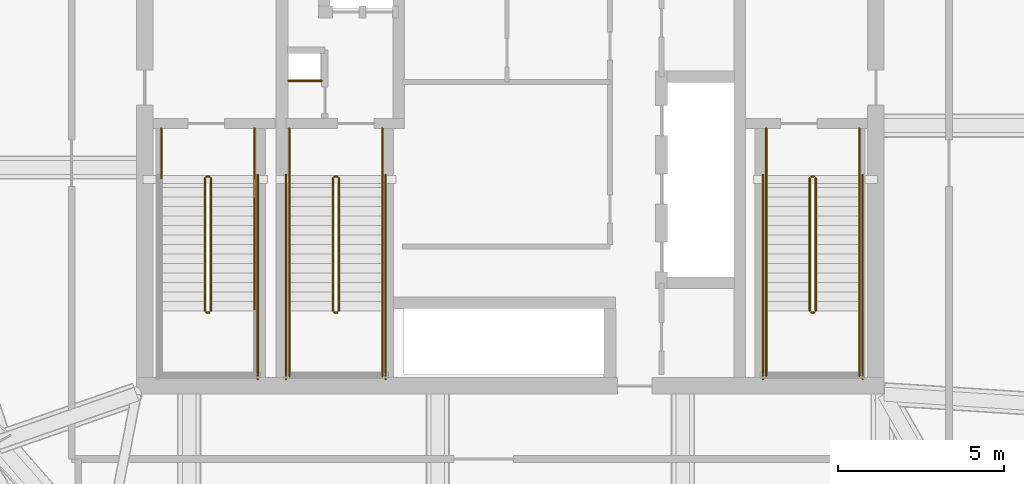
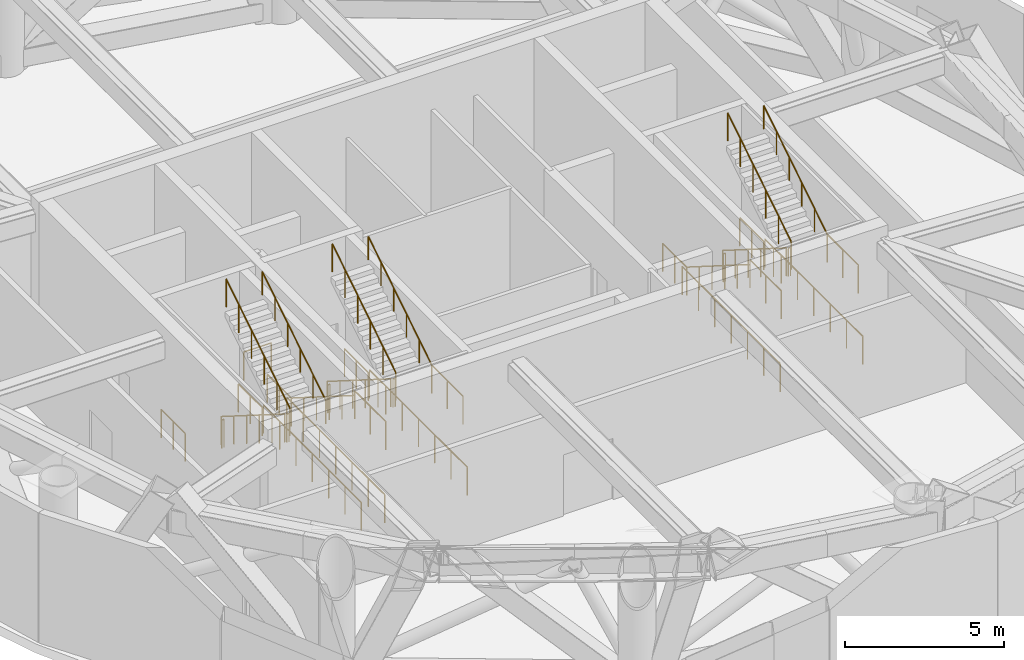
# One storey, part 8 of 9: 33 railings.
"""IFC4 building model written with IfcOpenShell, lengths in metres."""

import ifcopenshell
import ifcopenshell.guid

model = None  # the IFC model being written
_history = None  # IfcOwnerHistory: only IFC2X3 demands one
_inside = {}  # id of a spatial element -> (the spatial element, [elements in it])
_under = {}  # id of a project, library or spatial element -> (it, [spatial elements below it])
_declared = {}  # id of a project -> (the project, [libraries it declares])
_typed = {}  # id of a type object -> (the type object, [elements of that type])
_made_of = {}  # id of a material, layer set ... -> (it, [elements and type objects made of it])


def new_model(schema):
    """Start an empty IFC model of exactly this schema.

    Asked for "IFC4X3", IfcOpenShell would pick the latest addendum, in which some entities
    have other attributes; the version numbers below select the first issue.
    IFC2X3 requires an IfcOwnerHistory on every rooted entity: one is made here for all.
    """
    global model, _history
    if schema == "IFC4X3":
        model = ifcopenshell.file(schema_version=(4, 3, 0, 0))
    else:
        model = ifcopenshell.file(schema=schema)
    _inside.clear()
    _under.clear()
    _declared.clear()
    _typed.clear()
    _made_of.clear()
    _history = None
    if model.schema == "IFC2X3":
        org = make("IfcOrganization", Name="unknown")
        user = make(
            "IfcPersonAndOrganization",
            ThePerson=make("IfcPerson", FamilyName="unknown"),
            TheOrganization=org,
        )
        app = make(
            "IfcApplication",
            ApplicationDeveloper=org,
            Version="unknown",
            ApplicationFullName="unknown",
            ApplicationIdentifier="unknown",
        )
        _history = make(
            "IfcOwnerHistory",
            OwningUser=user,
            OwningApplication=app,
            ChangeAction="ADDED",
            CreationDate=0,
        )
    return model


def make(cls, **values):
    """One entity of the class cls with the attributes given. An attribute that is None is left unset."""
    return model.create_entity(
        cls, **{name: value for name, value in values.items() if value is not None}
    )


def rooted(cls, **values):
    """An entity with a GlobalId (a new one), such as an element, a storey or a relation."""
    return make(cls, GlobalId=ifcopenshell.guid.new(), OwnerHistory=_history, **values)


def si_unit(unit_type, name, prefix=None):
    """IfcSIUnit, for example si_unit("LENGTHUNIT", "METRE", prefix="MILLI")."""
    return make("IfcSIUnit", UnitType=unit_type, Prefix=prefix, Name=name)


def assignment(units):
    """IfcUnitAssignment: the units of a project."""
    return None if units is None else make("IfcUnitAssignment", Units=units)


def point(xyz):
    """IfcCartesianPoint."""
    return None if xyz is None else make("IfcCartesianPoint", Coordinates=xyz)


def direction(xyz):
    """IfcDirection."""
    return None if xyz is None else make("IfcDirection", DirectionRatios=xyz)


def frame(location, z_axis=None, x_axis=None):
    """IfcAxis2Placement3D, a coordinate frame: its origin and axes. An axis left out is left unset."""
    return make(
        "IfcAxis2Placement3D",
        Location=point(location),
        Axis=direction(z_axis),
        RefDirection=direction(x_axis),
    )


def frame_2d(location, x_axis=None):
    """IfcAxis2Placement2D, a coordinate frame in the plane: its origin and x axis."""
    return make(
        "IfcAxis2Placement2D", Location=point(location), RefDirection=direction(x_axis)
    )


def origin():
    """The frame at (0, 0, 0) with its axes left unset."""
    return frame((0.0, 0.0, 0.0))


def origin_2d():
    """The frame at (0, 0) in the plane with its x axis left unset."""
    return frame_2d((0.0, 0.0))


def place(relative_to, where):
    """IfcLocalPlacement: puts the frame where relative to a parent placement (None: the world)."""
    return make(
        "IfcLocalPlacement", PlacementRelTo=relative_to, RelativePlacement=where
    )


def context(
    kind, dimensions, precision=None, world=None, true_north=None, identifier=None
):
    """IfcGeometricRepresentationContext, for example the 3D "Model" context."""
    return make(
        "IfcGeometricRepresentationContext",
        ContextIdentifier=identifier,
        ContextType=kind,
        CoordinateSpaceDimension=dimensions,
        Precision=precision,
        WorldCoordinateSystem=world,
        TrueNorth=true_north,
    )


def subcontext(parent, identifier, kind, view, scale=None):
    """IfcGeometricRepresentationSubContext, for example "Body" below "Model"."""
    return make(
        "IfcGeometricRepresentationSubContext",
        ContextIdentifier=identifier,
        ContextType=kind,
        ParentContext=parent,
        TargetScale=scale,
        TargetView=view,
    )


def project(units=None, contexts=None):
    """IfcProject with its units and contexts."""
    return rooted(
        "IfcProject",
        Name="project",
        RepresentationContexts=contexts,
        UnitsInContext=assignment(units),
    )


def spatial(cls, under=None, at=None, **own):
    """A site, building, storey or space (cls), placed at a placement, below another one or the project."""
    s = rooted(cls, ObjectPlacement=at, **own)
    if under is not None:
        _under.setdefault(under.id(), (under, []))[1].append(s)
    return s


def profile(cls, at=None, kind="AREA", **sizes):
    """A parametric profile (cls). Its sizes go by their IFC names, for example OverallWidth=200.0."""
    return make(cls, ProfileType=kind, Position=at, **sizes)


def circle(**sizes):
    """IfcCircleProfileDef."""
    return profile("IfcCircleProfileDef", **sizes)


def extrude(swept, where, along, depth):
    """IfcExtrudedAreaSolid: the profile swept, set in the frame where, extruded along a direction by depth."""
    return make(
        "IfcExtrudedAreaSolid",
        SweptArea=swept,
        Position=where,
        ExtrudedDirection=direction(along),
        Depth=depth,
    )


def shape(context_of_items, identifier, shape_type, items):
    """IfcShapeRepresentation: the items that make up one representation, for example the "Body"."""
    return make(
        "IfcShapeRepresentation",
        ContextOfItems=context_of_items,
        RepresentationIdentifier=identifier,
        RepresentationType=shape_type,
        Items=items,
    )


def material(Name=None, Category=None):
    """IfcMaterial."""
    return make("IfcMaterial", Name=Name, Category=Category)


def made_of(thing, what):
    """Note that an element or type object is made of a material, layer set ...; save() writes the relation."""
    if what is not None:
        _made_of.setdefault(what.id(), (what, []))[1].append(thing)
    return thing


def type_object(cls, material=None, **own):
    """A type object (cls), such as IfcWallType, which elements share."""
    return made_of(rooted(cls, **own), material)


def element(
    cls,
    number,
    at=None,
    inside=None,
    cuts=None,
    type_object=None,
    material=None,
    context=None,
    identifier="Body",
    shape_type=None,
    held_by="IfcProductDefinitionShape",
    body=None,
    shapes=None,
    **own,
):
    """One element of the class cls, such as IfcWall. Its Tag is "e" and its number.

    at: its placement. inside: the storey or other place that contains it. cuts: it is an
    opening in that element (IfcRelVoidsElement). A single representation is given by context,
    identifier, shape_type and body (its items); several are given by shapes. held_by: the class
    of the entity that holds the representations. save() writes the other relations.
    """
    e = rooted(cls, Tag="e%d" % number, ObjectPlacement=at, **own)
    if body is not None:
        shapes = [shape(context, identifier, shape_type, body)]
    if shapes is not None:
        e.Representation = make(held_by, Representations=shapes)
    if inside is not None:
        _inside.setdefault(inside.id(), (inside, []))[1].append(e)
    if cuts is not None:
        rooted(
            "IfcRelVoidsElement", RelatingBuildingElement=cuts, RelatedOpeningElement=e
        )
    if type_object is not None:
        _typed.setdefault(type_object.id(), (type_object, []))[1].append(e)
    return made_of(e, material)


def aggregate(whole, parts):
    """IfcRelAggregates: a whole, such as a stair, and the parts it consists of."""
    return rooted("IfcRelAggregates", RelatingObject=whole, RelatedObjects=parts)


def save(model, path):
    """Write the relations noted so far, then the file.

    IfcRelAggregates (storeys below a building ...), IfcRelContainedInSpatialStructure (elements
    in a storey), IfcRelDefinesByType, IfcRelAssociatesMaterial and IfcRelDeclares: one each for
    every whole, place, type object, material and project.
    """
    for whole, parts in _under.values():
        aggregate(whole, parts)
    for where, things in _inside.values():
        rooted(
            "IfcRelContainedInSpatialStructure",
            RelatedElements=things,
            RelatingStructure=where,
        )
    for kind, things in _typed.values():
        rooted("IfcRelDefinesByType", RelatedObjects=things, RelatingType=kind)
    for what, things in _made_of.values():
        rooted("IfcRelAssociatesMaterial", RelatedObjects=things, RelatingMaterial=what)
    for by, libraries in _declared.values():
        rooted("IfcRelDeclares", RelatingContext=by, RelatedDefinitions=libraries)
    model.write(path)


model = new_model("IFC4")

# Units and contexts
model_context = context("Model", 3, precision=1e-05, world=origin(), true_north=direction((0.0, 1.0)))
body_context = subcontext(model_context, "Body", "Model", "MODEL_VIEW")
ifc_project = project(units=[si_unit("LENGTHUNIT", "METRE"), si_unit("AREAUNIT", "SQUARE_METRE"), si_unit("VOLUMEUNIT", "CUBIC_METRE"), si_unit("PLANEANGLEUNIT", "RADIAN"), si_unit("MASSUNIT", "GRAM", prefix="KILO")], contexts=[model_context])

# Site, building, storey
site_placement = place(None, origin())
site = spatial("IfcSite", under=ifc_project, at=site_placement, CompositionType="ELEMENT")
building_placement = place(site_placement, origin())
building = spatial("IfcBuilding", under=site, at=building_placement, Name="Bramvorn Convention Spire", CompositionType="ELEMENT")
storey_placement = place(building_placement, frame((0.0, 0.0, 236.64990234375)))
storey = spatial("IfcBuildingStorey", under=building, at=storey_placement, Name="L60", CompositionType="ELEMENT", Elevation=236.64990234375)

# Railings
ifc_material_1 = material(Name="Painted Steel Balustrade & Guardrail", Category="steel")
railing_type_1 = type_object("IfcRailingType", Name="RL-STAIR-GUARD-1100", PredefinedType="GUARDRAIL", material=ifc_material_1)
railing_1_placement = place(storey_placement, frame((28.81005859375, 25.050048828125, 0.18017578125)))
element("IfcRailing", 1, at=railing_1_placement, inside=storey, type_object=railing_type_1, Name="L60 ST1 stair guard 1", PredefinedType="GUARDRAIL", context=body_context, shape_type="SweptSolid", body=[
    extrude(circle(Radius=0.02392578125, at=origin_2d()), frame((0.0, 0.0, 1.076171875), z_axis=(0.0, -0.845486444383, 0.533996884227), x_axis=(1.0, 0.0, 0.0)), (0.0, 0.0, 1.0), 4.71923828125),
    extrude(circle(Radius=0.02099609375, at=origin_2d()), origin(), (0.0, 0.0, 1.0), 1.052001953125),
    extrude(circle(Radius=0.02099609375, at=origin_2d()), frame((0.0, -0.798095703125, 0.50390625)), (0.0, 0.0, 1.0), 1.052001953125),
    extrude(circle(Radius=0.02099609375, at=origin_2d()), frame((0.0, -1.595947265625, 1.008056640625)), (0.0, 0.0, 1.0), 1.052001953125),
    extrude(circle(Radius=0.02099609375, at=origin_2d()), frame((0.0, -2.39404296875, 1.511962890625)), (0.0, 0.0, 1.0), 1.052001953125),
    extrude(circle(Radius=0.02099609375, at=origin_2d()), frame((0.0, -3.19189453125, 2.01611328125)), (0.0, 0.0, 1.0), 1.052001953125),
    extrude(circle(Radius=0.02099609375, at=origin_2d()), frame((0.0, -3.989990234375, 2.52001953125)), (0.0, 0.0, 1.0), 1.052001953125),
])
railing_2_placement = place(storey_placement, frame((28.860107421875, 21.010009765625, 2.7001953125)))
element("IfcRailing", 2, at=railing_2_placement, inside=storey, type_object=railing_type_1, Name="L60 ST1 stair guard 2", PredefinedType="GUARDRAIL", context=body_context, shape_type="SweptSolid", body=[
    extrude(circle(Radius=0.02392578125, at=origin_2d()), frame((0.0, 0.0, 1.076171875), z_axis=(1.0, 0.0, 0.0), x_axis=(0.0, 1.0, 0.0)), (0.0, 0.0, 1.0), 0.079833984375),
    extrude(circle(Radius=0.02099609375, at=origin_2d()), origin(), (0.0, 0.0, 1.0), 1.052001953125),
    extrude(circle(Radius=0.02099609375, at=origin_2d()), frame((0.079833984375, 0.0, 0.0)), (0.0, 0.0, 1.0), 1.052001953125),
])
railing_3_placement = place(storey_placement, frame((28.989990234375, 21.06005859375, 2.880126953125)))
element("IfcRailing", 3, at=railing_3_placement, inside=storey, type_object=railing_type_1, Name="L60 ST1 stair guard 6", PredefinedType="GUARDRAIL", context=body_context, shape_type="SweptSolid", body=[
    extrude(circle(Radius=0.02392578125, at=origin_2d()), frame((0.0, 0.0, 1.076171875), z_axis=(0.0, 0.845486444383, 0.533996884227), x_axis=(-1.0, 0.0, 0.0)), (0.0, 0.0, 1.0), 4.71923828125),
    extrude(circle(Radius=0.02099609375, at=origin_2d()), origin(), (0.0, 0.0, 1.0), 1.052001953125),
    extrude(circle(Radius=0.02099609375, at=origin_2d()), frame((0.0, 0.798095703125, 0.50390625)), (0.0, 0.0, 1.0), 1.052001953125),
    extrude(circle(Radius=0.02099609375, at=origin_2d()), frame((0.0, 1.595947265625, 1.008056640625)), (0.0, 0.0, 1.0), 1.052001953125),
    extrude(circle(Radius=0.02099609375, at=origin_2d()), frame((0.0, 2.39404296875, 1.511962890625)), (0.0, 0.0, 1.0), 1.052001953125),
    extrude(circle(Radius=0.02099609375, at=origin_2d()), frame((0.0, 3.19189453125, 2.01611328125)), (0.0, 0.0, 1.0), 1.052001953125),
    extrude(circle(Radius=0.02099609375, at=origin_2d()), frame((0.0, 3.989990234375, 2.52001953125)), (0.0, 0.0, 1.0), 1.052001953125),
])
railing_4_placement = place(storey_placement, frame((28.860107421875, 25.10009765625, 0.0)))
element("IfcRailing", 4, at=railing_4_placement, inside=storey, type_object=railing_type_1, Name="L60 ST1 stair guard 7", PredefinedType="GUARDRAIL", context=body_context, shape_type="SweptSolid", body=[
    extrude(circle(Radius=0.02392578125, at=origin_2d()), frame((0.0, 0.0, 1.076171875), z_axis=(1.0, 0.0, 0.0), x_axis=(0.0, 1.0, 0.0)), (0.0, 0.0, 1.0), 0.079833984375),
    extrude(circle(Radius=0.02099609375, at=origin_2d()), origin(), (0.0, 0.0, 1.0), 1.052001953125),
    extrude(circle(Radius=0.02099609375, at=origin_2d()), frame((0.079833984375, 0.0, 0.0)), (0.0, 0.0, 1.0), 1.052001953125),
])
for number, where, name in (
    (5, (27.5, 26.550048828125, 0.0), "L60 ST1 stair guard 8"),
    (6, (30.300048828125, 26.550048828125, 0.0), "L60 ST1 stair guard 9"),
):
    element("IfcRailing", number, at=place(storey_placement, frame(where)), inside=storey, type_object=railing_type_1, Name=name, PredefinedType="GUARDRAIL", context=body_context, shape_type="SweptSolid", body=[
        extrude(circle(Radius=0.02392578125, at=origin_2d()), frame((0.0, 0.0, 1.076171875), z_axis=(0.0, -1.0, 0.0), x_axis=(1.0, 0.0, 0.0)), (0.0, 0.0, 1.0), 1.5),
        extrude(circle(Radius=0.02099609375, at=origin_2d()), origin(), (0.0, 0.0, 1.0), 1.052001953125),
        extrude(circle(Radius=0.02099609375, at=origin_2d()), frame((0.0, -0.75, 0.0)), (0.0, 0.0, 1.0), 1.052001953125),
        extrude(circle(Radius=0.02099609375, at=origin_2d()), frame((0.0, -1.5, 0.0)), (0.0, 0.0, 1.0), 1.052001953125),
    ])
railing_5_placement = place(storey_placement, frame((30.39990234375, 25.14990234375, 0.0)))
element("IfcRailing", 7, at=railing_5_placement, inside=storey, type_object=railing_type_1, Name="L60 ST1 stair guard 11", PredefinedType="GUARDRAIL", context=body_context, shape_type="SweptSolid", body=[
    extrude(circle(Radius=0.02392578125, at=origin_2d()), frame((0.0, 0.0, 1.076171875), z_axis=(0.0, -1.0, 0.0), x_axis=(1.0, 0.0, 0.0)), (0.0, 0.0, 1.0), 6.14990234375),
    extrude(circle(Radius=0.02099609375, at=origin_2d()), origin(), (0.0, 0.0, 1.0), 1.052001953125),
    extrude(circle(Radius=0.02099609375, at=origin_2d()), frame((0.0, -1.02490234375, 0.0)), (0.0, 0.0, 1.0), 1.052001953125),
    extrude(circle(Radius=0.02099609375, at=origin_2d()), frame((0.0, -2.050048828125, 0.0)), (0.0, 0.0, 1.0), 1.052001953125),
    extrude(circle(Radius=0.02099609375, at=origin_2d()), frame((0.0, -3.074951171875, 0.0)), (0.0, 0.0, 1.0), 1.052001953125),
    extrude(circle(Radius=0.02099609375, at=origin_2d()), frame((0.0, -4.099853515625, 0.0)), (0.0, 0.0, 1.0), 1.052001953125),
    extrude(circle(Radius=0.02099609375, at=origin_2d()), frame((0.0, -5.125, 0.0)), (0.0, 0.0, 1.0), 1.052001953125),
    extrude(circle(Radius=0.02099609375, at=origin_2d()), frame((0.0, -6.14990234375, 0.0)), (0.0, 0.0, 1.0), 1.052001953125),
])
railing_6_placement = place(storey_placement, frame((47.010009765625, 25.050048828125, 0.18017578125)))
element("IfcRailing", 8, at=railing_6_placement, inside=storey, type_object=railing_type_1, Name="L60 ST2 stair guard 1", PredefinedType="GUARDRAIL", context=body_context, shape_type="SweptSolid", body=[
    extrude(circle(Radius=0.02392578125, at=origin_2d()), frame((0.0, 0.0, 1.076171875), z_axis=(0.0, -0.845486444383, 0.533996884227), x_axis=(1.0, 0.0, 0.0)), (0.0, 0.0, 1.0), 4.71923828125),
    extrude(circle(Radius=0.02099609375, at=origin_2d()), origin(), (0.0, 0.0, 1.0), 1.052001953125),
    extrude(circle(Radius=0.02099609375, at=origin_2d()), frame((0.0, -0.798095703125, 0.50390625)), (0.0, 0.0, 1.0), 1.052001953125),
    extrude(circle(Radius=0.02099609375, at=origin_2d()), frame((0.0, -1.595947265625, 1.008056640625)), (0.0, 0.0, 1.0), 1.052001953125),
    extrude(circle(Radius=0.02099609375, at=origin_2d()), frame((0.0, -2.39404296875, 1.511962890625)), (0.0, 0.0, 1.0), 1.052001953125),
    extrude(circle(Radius=0.02099609375, at=origin_2d()), frame((0.0, -3.19189453125, 2.01611328125)), (0.0, 0.0, 1.0), 1.052001953125),
    extrude(circle(Radius=0.02099609375, at=origin_2d()), frame((0.0, -3.989990234375, 2.52001953125)), (0.0, 0.0, 1.0), 1.052001953125),
])
railing_7_placement = place(storey_placement, frame((47.06005859375, 21.010009765625, 2.7001953125)))
element("IfcRailing", 9, at=railing_7_placement, inside=storey, type_object=railing_type_1, Name="L60 ST2 stair guard 2", PredefinedType="GUARDRAIL", context=body_context, shape_type="SweptSolid", body=[
    extrude(circle(Radius=0.02392578125, at=origin_2d()), frame((0.0, 0.0, 1.076171875), z_axis=(1.0, 0.0, 0.0), x_axis=(0.0, 1.0, 0.0)), (0.0, 0.0, 1.0), 0.079833984375),
    extrude(circle(Radius=0.02099609375, at=origin_2d()), origin(), (0.0, 0.0, 1.0), 1.052001953125),
    extrude(circle(Radius=0.02099609375, at=origin_2d()), frame((0.079833984375, 0.0, 0.0)), (0.0, 0.0, 1.0), 1.052001953125),
])
for number, where, name in (
    (10, (45.699951171875, 21.06005859375, 2.7001953125), "L60 ST2 stair guard 3"),
    (11, (48.5, 21.06005859375, 2.7001953125), "L60 ST2 stair guard 4"),
):
    element("IfcRailing", number, at=place(storey_placement, frame(where)), inside=storey, type_object=railing_type_1, Name=name, PredefinedType="GUARDRAIL", context=body_context, shape_type="SweptSolid", body=[
        extrude(circle(Radius=0.02392578125, at=origin_2d()), frame((0.0, 0.0, 1.076171875), z_axis=(0.0, -1.0, 0.0), x_axis=(1.0, 0.0, 0.0)), (0.0, 0.0, 1.0), 1.9599609375),
        extrude(circle(Radius=0.02099609375, at=origin_2d()), origin(), (0.0, 0.0, 1.0), 1.052001953125),
        extrude(circle(Radius=0.02099609375, at=origin_2d()), frame((0.0, -0.97998046875, 0.0)), (0.0, 0.0, 1.0), 1.052001953125),
        extrude(circle(Radius=0.02099609375, at=origin_2d()), frame((0.0, -1.9599609375, 0.0)), (0.0, 0.0, 1.0), 1.052001953125),
    ])
railing_8_placement = place(storey_placement, frame((47.18994140625, 21.06005859375, 2.880126953125)))
element("IfcRailing", 12, at=railing_8_placement, inside=storey, type_object=railing_type_1, Name="L60 ST2 stair guard 6", PredefinedType="GUARDRAIL", context=body_context, shape_type="SweptSolid", body=[
    extrude(circle(Radius=0.02392578125, at=origin_2d()), frame((0.0, 0.0, 1.076171875), z_axis=(0.0, 0.845486444383, 0.533996884227), x_axis=(-1.0, 0.0, 0.0)), (0.0, 0.0, 1.0), 4.71923828125),
    extrude(circle(Radius=0.02099609375, at=origin_2d()), origin(), (0.0, 0.0, 1.0), 1.052001953125),
    extrude(circle(Radius=0.02099609375, at=origin_2d()), frame((0.0, 0.798095703125, 0.50390625)), (0.0, 0.0, 1.0), 1.052001953125),
    extrude(circle(Radius=0.02099609375, at=origin_2d()), frame((0.0, 1.595947265625, 1.008056640625)), (0.0, 0.0, 1.0), 1.052001953125),
    extrude(circle(Radius=0.02099609375, at=origin_2d()), frame((0.0, 2.39404296875, 1.511962890625)), (0.0, 0.0, 1.0), 1.052001953125),
    extrude(circle(Radius=0.02099609375, at=origin_2d()), frame((0.0, 3.19189453125, 2.01611328125)), (0.0, 0.0, 1.0), 1.052001953125),
    extrude(circle(Radius=0.02099609375, at=origin_2d()), frame((0.0, 3.989990234375, 2.52001953125)), (0.0, 0.0, 1.0), 1.052001953125),
])
railing_9_placement = place(storey_placement, frame((47.06005859375, 25.10009765625, 0.0)))
element("IfcRailing", 13, at=railing_9_placement, inside=storey, type_object=railing_type_1, Name="L60 ST2 stair guard 7", PredefinedType="GUARDRAIL", context=body_context, shape_type="SweptSolid", body=[
    extrude(circle(Radius=0.02392578125, at=origin_2d()), frame((0.0, 0.0, 1.076171875), z_axis=(1.0, 0.0, 0.0), x_axis=(0.0, 1.0, 0.0)), (0.0, 0.0, 1.0), 0.079833984375),
    extrude(circle(Radius=0.02099609375, at=origin_2d()), origin(), (0.0, 0.0, 1.0), 1.052001953125),
    extrude(circle(Radius=0.02099609375, at=origin_2d()), frame((0.079833984375, 0.0, 0.0)), (0.0, 0.0, 1.0), 1.052001953125),
])
for number, where, name in (
    (14, (45.699951171875, 26.550048828125, 0.0), "L60 ST2 stair guard 8"),
    (15, (48.5, 26.550048828125, 0.0), "L60 ST2 stair guard 9"),
):
    element("IfcRailing", number, at=place(storey_placement, frame(where)), inside=storey, type_object=railing_type_1, Name=name, PredefinedType="GUARDRAIL", context=body_context, shape_type="SweptSolid", body=[
        extrude(circle(Radius=0.02392578125, at=origin_2d()), frame((0.0, 0.0, 1.076171875), z_axis=(0.0, -1.0, 0.0), x_axis=(1.0, 0.0, 0.0)), (0.0, 0.0, 1.0), 1.5),
        extrude(circle(Radius=0.02099609375, at=origin_2d()), origin(), (0.0, 0.0, 1.0), 1.052001953125),
        extrude(circle(Radius=0.02099609375, at=origin_2d()), frame((0.0, -0.75, 0.0)), (0.0, 0.0, 1.0), 1.052001953125),
        extrude(circle(Radius=0.02099609375, at=origin_2d()), frame((0.0, -1.5, 0.0)), (0.0, 0.0, 1.0), 1.052001953125),
    ])
for number, where, name in (
    (16, (45.60009765625, 25.14990234375, 0.0), "L60 ST2 stair guard 10"),
    (17, (48.60009765625, 25.14990234375, 0.0), "L60 ST2 stair guard 11"),
):
    element("IfcRailing", number, at=place(storey_placement, frame(where)), inside=storey, type_object=railing_type_1, Name=name, PredefinedType="GUARDRAIL", context=body_context, shape_type="SweptSolid", body=[
        extrude(circle(Radius=0.02392578125, at=origin_2d()), frame((0.0, 0.0, 1.076171875), z_axis=(0.0, -1.0, 0.0), x_axis=(1.0, 0.0, 0.0)), (0.0, 0.0, 1.0), 6.14990234375),
        extrude(circle(Radius=0.02099609375, at=origin_2d()), origin(), (0.0, 0.0, 1.0), 1.052001953125),
        extrude(circle(Radius=0.02099609375, at=origin_2d()), frame((0.0, -1.02490234375, 0.0)), (0.0, 0.0, 1.0), 1.052001953125),
        extrude(circle(Radius=0.02099609375, at=origin_2d()), frame((0.0, -2.050048828125, 0.0)), (0.0, 0.0, 1.0), 1.052001953125),
        extrude(circle(Radius=0.02099609375, at=origin_2d()), frame((0.0, -3.074951171875, 0.0)), (0.0, 0.0, 1.0), 1.052001953125),
        extrude(circle(Radius=0.02099609375, at=origin_2d()), frame((0.0, -4.099853515625, 0.0)), (0.0, 0.0, 1.0), 1.052001953125),
        extrude(circle(Radius=0.02099609375, at=origin_2d()), frame((0.0, -5.125, 0.0)), (0.0, 0.0, 1.0), 1.052001953125),
        extrude(circle(Radius=0.02099609375, at=origin_2d()), frame((0.0, -6.14990234375, 0.0)), (0.0, 0.0, 1.0), 1.052001953125),
    ])
railing_10_placement = place(storey_placement, frame((32.659912109375, 25.050048828125, 0.18017578125)))
element("IfcRailing", 18, at=railing_10_placement, inside=storey, type_object=railing_type_1, Name="L60 ST3 stair guard 1", PredefinedType="GUARDRAIL", context=body_context, shape_type="SweptSolid", body=[
    extrude(circle(Radius=0.02392578125, at=origin_2d()), frame((0.0, 0.0, 1.076171875), z_axis=(0.0, -0.845486444383, 0.533996884227), x_axis=(1.0, 0.0, 0.0)), (0.0, 0.0, 1.0), 4.71923828125),
    extrude(circle(Radius=0.02099609375, at=origin_2d()), origin(), (0.0, 0.0, 1.0), 1.052001953125),
    extrude(circle(Radius=0.02099609375, at=origin_2d()), frame((0.0, -0.798095703125, 0.50390625)), (0.0, 0.0, 1.0), 1.052001953125),
    extrude(circle(Radius=0.02099609375, at=origin_2d()), frame((0.0, -1.595947265625, 1.008056640625)), (0.0, 0.0, 1.0), 1.052001953125),
    extrude(circle(Radius=0.02099609375, at=origin_2d()), frame((0.0, -2.39404296875, 1.511962890625)), (0.0, 0.0, 1.0), 1.052001953125),
    extrude(circle(Radius=0.02099609375, at=origin_2d()), frame((0.0, -3.19189453125, 2.01611328125)), (0.0, 0.0, 1.0), 1.052001953125),
    extrude(circle(Radius=0.02099609375, at=origin_2d()), frame((0.0, -3.989990234375, 2.52001953125)), (0.0, 0.0, 1.0), 1.052001953125),
])
railing_11_placement = place(storey_placement, frame((32.7099609375, 21.010009765625, 2.7001953125)))
element("IfcRailing", 19, at=railing_11_placement, inside=storey, type_object=railing_type_1, Name="L60 ST3 stair guard 2", PredefinedType="GUARDRAIL", context=body_context, shape_type="SweptSolid", body=[
    extrude(circle(Radius=0.02392578125, at=origin_2d()), frame((0.0, 0.0, 1.076171875), z_axis=(1.0, 0.0, 0.0), x_axis=(0.0, 1.0, 0.0)), (0.0, 0.0, 1.0), 0.080078125),
    extrude(circle(Radius=0.02099609375, at=origin_2d()), origin(), (0.0, 0.0, 1.0), 1.052001953125),
    extrude(circle(Radius=0.02099609375, at=origin_2d()), frame((0.080078125, 0.0, 0.0)), (0.0, 0.0, 1.0), 1.052001953125),
])
for number, where, name in (
    (20, (31.35009765625, 21.06005859375, 2.7001953125), "L60 ST3 stair guard 3"),
    (21, (34.14990234375, 21.06005859375, 2.7001953125), "L60 ST3 stair guard 4"),
):
    element("IfcRailing", number, at=place(storey_placement, frame(where)), inside=storey, type_object=railing_type_1, Name=name, PredefinedType="GUARDRAIL", context=body_context, shape_type="SweptSolid", body=[
        extrude(circle(Radius=0.02392578125, at=origin_2d()), frame((0.0, 0.0, 1.076171875), z_axis=(0.0, -1.0, 0.0), x_axis=(1.0, 0.0, 0.0)), (0.0, 0.0, 1.0), 1.9599609375),
        extrude(circle(Radius=0.02099609375, at=origin_2d()), origin(), (0.0, 0.0, 1.0), 1.052001953125),
        extrude(circle(Radius=0.02099609375, at=origin_2d()), frame((0.0, -0.97998046875, 0.0)), (0.0, 0.0, 1.0), 1.052001953125),
        extrude(circle(Radius=0.02099609375, at=origin_2d()), frame((0.0, -1.9599609375, 0.0)), (0.0, 0.0, 1.0), 1.052001953125),
    ])
railing_12_placement = place(storey_placement, frame((32.840087890625, 21.06005859375, 2.880126953125)))
element("IfcRailing", 22, at=railing_12_placement, inside=storey, type_object=railing_type_1, Name="L60 ST3 stair guard 6", PredefinedType="GUARDRAIL", context=body_context, shape_type="SweptSolid", body=[
    extrude(circle(Radius=0.02392578125, at=origin_2d()), frame((0.0, 0.0, 1.076171875), z_axis=(0.0, 0.845486444383, 0.533996884227), x_axis=(-1.0, 0.0, 0.0)), (0.0, 0.0, 1.0), 4.71923828125),
    extrude(circle(Radius=0.02099609375, at=origin_2d()), origin(), (0.0, 0.0, 1.0), 1.052001953125),
    extrude(circle(Radius=0.02099609375, at=origin_2d()), frame((0.0, 0.798095703125, 0.50390625)), (0.0, 0.0, 1.0), 1.052001953125),
    extrude(circle(Radius=0.02099609375, at=origin_2d()), frame((0.0, 1.595947265625, 1.008056640625)), (0.0, 0.0, 1.0), 1.052001953125),
    extrude(circle(Radius=0.02099609375, at=origin_2d()), frame((0.0, 2.39404296875, 1.511962890625)), (0.0, 0.0, 1.0), 1.052001953125),
    extrude(circle(Radius=0.02099609375, at=origin_2d()), frame((0.0, 3.19189453125, 2.01611328125)), (0.0, 0.0, 1.0), 1.052001953125),
    extrude(circle(Radius=0.02099609375, at=origin_2d()), frame((0.0, 3.989990234375, 2.52001953125)), (0.0, 0.0, 1.0), 1.052001953125),
])
railing_13_placement = place(storey_placement, frame((32.7099609375, 25.10009765625, 0.0)))
element("IfcRailing", 23, at=railing_13_placement, inside=storey, type_object=railing_type_1, Name="L60 ST3 stair guard 7", PredefinedType="GUARDRAIL", context=body_context, shape_type="SweptSolid", body=[
    extrude(circle(Radius=0.02392578125, at=origin_2d()), frame((0.0, 0.0, 1.076171875), z_axis=(1.0, 0.0, 0.0), x_axis=(0.0, 1.0, 0.0)), (0.0, 0.0, 1.0), 0.080078125),
    extrude(circle(Radius=0.02099609375, at=origin_2d()), origin(), (0.0, 0.0, 1.0), 1.052001953125),
    extrude(circle(Radius=0.02099609375, at=origin_2d()), frame((0.080078125, 0.0, 0.0)), (0.0, 0.0, 1.0), 1.052001953125),
])
for number, where, name in (
    (24, (31.35009765625, 26.550048828125, 0.0), "L60 ST3 stair guard 8"),
    (25, (34.14990234375, 26.550048828125, 0.0), "L60 ST3 stair guard 9"),
):
    element("IfcRailing", number, at=place(storey_placement, frame(where)), inside=storey, type_object=railing_type_1, Name=name, PredefinedType="GUARDRAIL", context=body_context, shape_type="SweptSolid", body=[
        extrude(circle(Radius=0.02392578125, at=origin_2d()), frame((0.0, 0.0, 1.076171875), z_axis=(0.0, -1.0, 0.0), x_axis=(1.0, 0.0, 0.0)), (0.0, 0.0, 1.0), 1.5),
        extrude(circle(Radius=0.02099609375, at=origin_2d()), origin(), (0.0, 0.0, 1.0), 1.052001953125),
        extrude(circle(Radius=0.02099609375, at=origin_2d()), frame((0.0, -0.75, 0.0)), (0.0, 0.0, 1.0), 1.052001953125),
        extrude(circle(Radius=0.02099609375, at=origin_2d()), frame((0.0, -1.5, 0.0)), (0.0, 0.0, 1.0), 1.052001953125),
    ])
for number, where, name in (
    (26, (31.25, 25.14990234375, 0.0), "L60 ST3 stair guard 10"),
    (27, (34.25, 25.14990234375, 0.0), "L60 ST3 stair guard 11"),
):
    element("IfcRailing", number, at=place(storey_placement, frame(where)), inside=storey, type_object=railing_type_1, Name=name, PredefinedType="GUARDRAIL", context=body_context, shape_type="SweptSolid", body=[
        extrude(circle(Radius=0.02392578125, at=origin_2d()), frame((0.0, 0.0, 1.076171875), z_axis=(0.0, -1.0, 0.0), x_axis=(1.0, 0.0, 0.0)), (0.0, 0.0, 1.0), 6.14990234375),
        extrude(circle(Radius=0.02099609375, at=origin_2d()), origin(), (0.0, 0.0, 1.0), 1.052001953125),
        extrude(circle(Radius=0.02099609375, at=origin_2d()), frame((0.0, -1.02490234375, 0.0)), (0.0, 0.0, 1.0), 1.052001953125),
        extrude(circle(Radius=0.02099609375, at=origin_2d()), frame((0.0, -2.050048828125, 0.0)), (0.0, 0.0, 1.0), 1.052001953125),
        extrude(circle(Radius=0.02099609375, at=origin_2d()), frame((0.0, -3.074951171875, 0.0)), (0.0, 0.0, 1.0), 1.052001953125),
        extrude(circle(Radius=0.02099609375, at=origin_2d()), frame((0.0, -4.099853515625, 0.0)), (0.0, 0.0, 1.0), 1.052001953125),
        extrude(circle(Radius=0.02099609375, at=origin_2d()), frame((0.0, -5.125, 0.0)), (0.0, 0.0, 1.0), 1.052001953125),
        extrude(circle(Radius=0.02099609375, at=origin_2d()), frame((0.0, -6.14990234375, 0.0)), (0.0, 0.0, 1.0), 1.052001953125),
    ])
railing_14_placement = place(storey_placement, frame((31.320068359375, 27.97998046875, 0.0)))
element("IfcRailing", 28, at=railing_14_placement, inside=storey, type_object=railing_type_1, Name="L60 Telecom riser shaft opening safety guardrail", PredefinedType="GUARDRAIL", context=body_context, shape_type="SweptSolid", body=[
    extrude(circle(Radius=0.02392578125, at=origin_2d()), frame((0.0, 0.0, 1.076171875), z_axis=(1.0, 0.0, 0.0), x_axis=(0.0, 1.0, 0.0)), (0.0, 0.0, 1.0), 1.0),
    extrude(circle(Radius=0.02099609375, at=origin_2d()), origin(), (0.0, 0.0, 1.0), 1.052001953125),
    extrude(circle(Radius=0.02099609375, at=origin_2d()), frame((1.0, 0.0, 0.0)), (0.0, 0.0, 1.0), 1.052001953125),
])
ifc_material_2 = material(Name="Brushed Bronze Tubular Handrail", Category="aluminium")
railing_type_2 = type_object("IfcRailingType", Name="RL-STAIR-HR-920", PredefinedType="HANDRAIL", material=ifc_material_2)
railing_15_placement = place(storey_placement, frame((30.300048828125, 21.06005859375, 2.880126953125)))
element("IfcRailing", 29, at=railing_15_placement, inside=storey, type_object=railing_type_2, Name="L60 ST1 stair handrail 2", PredefinedType="HANDRAIL", context=body_context, shape_type="SweptSolid", body=[
    extrude(circle(Radius=0.02392578125, at=origin_2d()), frame((0.0, 0.0, 0.89599609375), z_axis=(0.0, 0.845486444383, 0.533996884227), x_axis=(-1.0, 0.0, 0.0)), (0.0, 0.0, 1.0), 4.71923828125),
    extrude(circle(Radius=0.02099609375, at=origin_2d()), origin(), (0.0, 0.0, 1.0), 0.871826171875),
    extrude(circle(Radius=0.02099609375, at=origin_2d()), frame((0.0, 0.798095703125, 0.50390625)), (0.0, 0.0, 1.0), 0.871826171875),
    extrude(circle(Radius=0.02099609375, at=origin_2d()), frame((0.0, 1.595947265625, 1.008056640625)), (0.0, 0.0, 1.0), 0.871826171875),
    extrude(circle(Radius=0.02099609375, at=origin_2d()), frame((0.0, 2.39404296875, 1.511962890625)), (0.0, 0.0, 1.0), 0.871826171875),
    extrude(circle(Radius=0.02099609375, at=origin_2d()), frame((0.0, 3.19189453125, 2.01611328125)), (0.0, 0.0, 1.0), 0.871826171875),
    extrude(circle(Radius=0.02099609375, at=origin_2d()), frame((0.0, 3.989990234375, 2.52001953125)), (0.0, 0.0, 1.0), 0.871826171875),
])
railing_16_placement = place(storey_placement, frame((45.699951171875, 25.050048828125, 0.18017578125)))
element("IfcRailing", 30, at=railing_16_placement, inside=storey, type_object=railing_type_2, Name="L60 ST2 stair handrail 1", PredefinedType="HANDRAIL", context=body_context, shape_type="SweptSolid", body=[
    extrude(circle(Radius=0.02392578125, at=origin_2d()), frame((0.0, 0.0, 0.89599609375), z_axis=(0.0, -0.845486444383, 0.533996884227), x_axis=(1.0, 0.0, 0.0)), (0.0, 0.0, 1.0), 4.71923828125),
    extrude(circle(Radius=0.02099609375, at=origin_2d()), origin(), (0.0, 0.0, 1.0), 0.871826171875),
    extrude(circle(Radius=0.02099609375, at=origin_2d()), frame((0.0, -0.798095703125, 0.50390625)), (0.0, 0.0, 1.0), 0.871826171875),
    extrude(circle(Radius=0.02099609375, at=origin_2d()), frame((0.0, -1.595947265625, 1.008056640625)), (0.0, 0.0, 1.0), 0.871826171875),
    extrude(circle(Radius=0.02099609375, at=origin_2d()), frame((0.0, -2.39404296875, 1.511962890625)), (0.0, 0.0, 1.0), 0.871826171875),
    extrude(circle(Radius=0.02099609375, at=origin_2d()), frame((0.0, -3.19189453125, 2.01611328125)), (0.0, 0.0, 1.0), 0.871826171875),
    extrude(circle(Radius=0.02099609375, at=origin_2d()), frame((0.0, -3.989990234375, 2.52001953125)), (0.0, 0.0, 1.0), 0.871826171875),
])
railing_17_placement = place(storey_placement, frame((48.5, 21.06005859375, 2.880126953125)))
element("IfcRailing", 31, at=railing_17_placement, inside=storey, type_object=railing_type_2, Name="L60 ST2 stair handrail 2", PredefinedType="HANDRAIL", context=body_context, shape_type="SweptSolid", body=[
    extrude(circle(Radius=0.02392578125, at=origin_2d()), frame((0.0, 0.0, 0.89599609375), z_axis=(0.0, 0.845486444383, 0.533996884227), x_axis=(-1.0, 0.0, 0.0)), (0.0, 0.0, 1.0), 4.71923828125),
    extrude(circle(Radius=0.02099609375, at=origin_2d()), origin(), (0.0, 0.0, 1.0), 0.871826171875),
    extrude(circle(Radius=0.02099609375, at=origin_2d()), frame((0.0, 0.798095703125, 0.50390625)), (0.0, 0.0, 1.0), 0.871826171875),
    extrude(circle(Radius=0.02099609375, at=origin_2d()), frame((0.0, 1.595947265625, 1.008056640625)), (0.0, 0.0, 1.0), 0.871826171875),
    extrude(circle(Radius=0.02099609375, at=origin_2d()), frame((0.0, 2.39404296875, 1.511962890625)), (0.0, 0.0, 1.0), 0.871826171875),
    extrude(circle(Radius=0.02099609375, at=origin_2d()), frame((0.0, 3.19189453125, 2.01611328125)), (0.0, 0.0, 1.0), 0.871826171875),
    extrude(circle(Radius=0.02099609375, at=origin_2d()), frame((0.0, 3.989990234375, 2.52001953125)), (0.0, 0.0, 1.0), 0.871826171875),
])
railing_18_placement = place(storey_placement, frame((31.35009765625, 25.050048828125, 0.18017578125)))
element("IfcRailing", 32, at=railing_18_placement, inside=storey, type_object=railing_type_2, Name="L60 ST3 stair handrail 1", PredefinedType="HANDRAIL", context=body_context, shape_type="SweptSolid", body=[
    extrude(circle(Radius=0.02392578125, at=origin_2d()), frame((0.0, 0.0, 0.89599609375), z_axis=(0.0, -0.845486444383, 0.533996884227), x_axis=(1.0, 0.0, 0.0)), (0.0, 0.0, 1.0), 4.71923828125),
    extrude(circle(Radius=0.02099609375, at=origin_2d()), origin(), (0.0, 0.0, 1.0), 0.871826171875),
    extrude(circle(Radius=0.02099609375, at=origin_2d()), frame((0.0, -0.798095703125, 0.50390625)), (0.0, 0.0, 1.0), 0.871826171875),
    extrude(circle(Radius=0.02099609375, at=origin_2d()), frame((0.0, -1.595947265625, 1.008056640625)), (0.0, 0.0, 1.0), 0.871826171875),
    extrude(circle(Radius=0.02099609375, at=origin_2d()), frame((0.0, -2.39404296875, 1.511962890625)), (0.0, 0.0, 1.0), 0.871826171875),
    extrude(circle(Radius=0.02099609375, at=origin_2d()), frame((0.0, -3.19189453125, 2.01611328125)), (0.0, 0.0, 1.0), 0.871826171875),
    extrude(circle(Radius=0.02099609375, at=origin_2d()), frame((0.0, -3.989990234375, 2.52001953125)), (0.0, 0.0, 1.0), 0.871826171875),
])
railing_19_placement = place(storey_placement, frame((34.14990234375, 21.06005859375, 2.880126953125)))
element("IfcRailing", 33, at=railing_19_placement, inside=storey, type_object=railing_type_2, Name="L60 ST3 stair handrail 2", PredefinedType="HANDRAIL", context=body_context, shape_type="SweptSolid", body=[
    extrude(circle(Radius=0.02392578125, at=origin_2d()), frame((0.0, 0.0, 0.89599609375), z_axis=(0.0, 0.845486444383, 0.533996884227), x_axis=(-1.0, 0.0, 0.0)), (0.0, 0.0, 1.0), 4.71923828125),
    extrude(circle(Radius=0.02099609375, at=origin_2d()), origin(), (0.0, 0.0, 1.0), 0.871826171875),
    extrude(circle(Radius=0.02099609375, at=origin_2d()), frame((0.0, 0.798095703125, 0.50390625)), (0.0, 0.0, 1.0), 0.871826171875),
    extrude(circle(Radius=0.02099609375, at=origin_2d()), frame((0.0, 1.595947265625, 1.008056640625)), (0.0, 0.0, 1.0), 0.871826171875),
    extrude(circle(Radius=0.02099609375, at=origin_2d()), frame((0.0, 2.39404296875, 1.511962890625)), (0.0, 0.0, 1.0), 0.871826171875),
    extrude(circle(Radius=0.02099609375, at=origin_2d()), frame((0.0, 3.19189453125, 2.01611328125)), (0.0, 0.0, 1.0), 0.871826171875),
    extrude(circle(Radius=0.02099609375, at=origin_2d()), frame((0.0, 3.989990234375, 2.52001953125)), (0.0, 0.0, 1.0), 0.871826171875),
])

save(model, "model.ifc")
